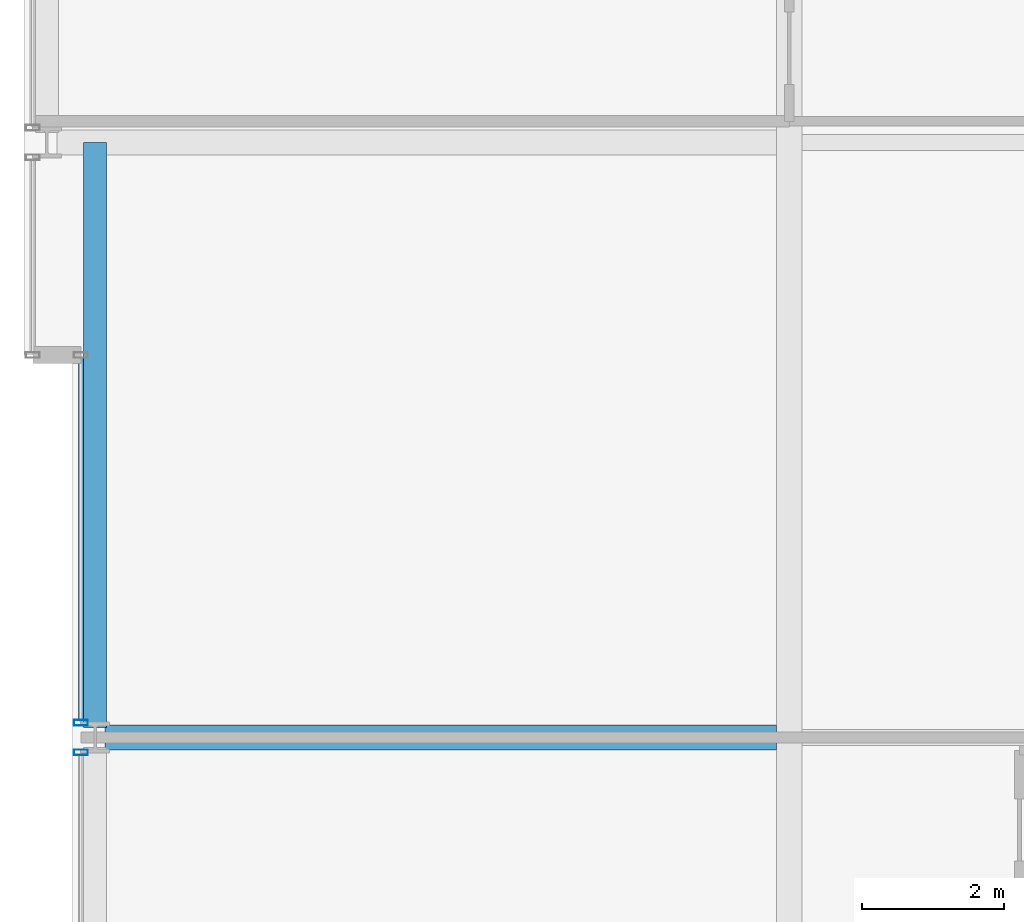
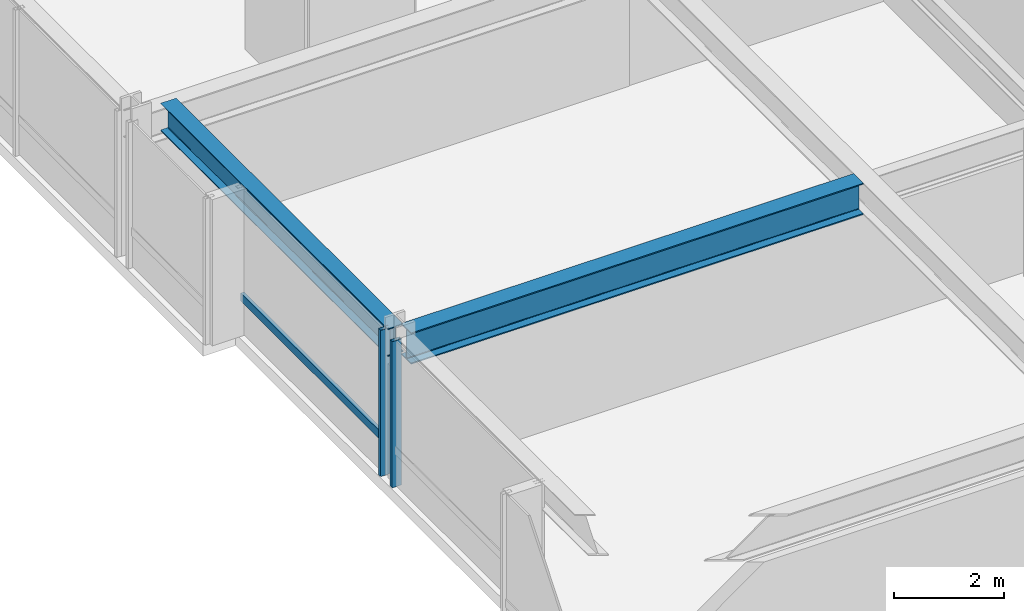
# One storey, part 9 of 34: 3 members, 2 beams, 2 elements without a shape of their own.
"""IFC4 building model written with IfcOpenShell, lengths in metres."""

from ifc_helpers import new_model, si_unit, direction, frame, origin, origin_2d, place, context, subcontext, project, spatial, hollow_rectangle, i_section, extrude, material, layer, layer_set, material_profile, profile_set, type_object, element, aggregate, save


model = new_model("IFC4")

# Units and contexts
model_context = context("Model", 3, precision=1e-05, world=origin(), true_north=direction((0.0, 1.0)))
body_context = subcontext(model_context, "Body", "Model", "MODEL_VIEW")
ifc_project = project(units=[si_unit("LENGTHUNIT", "METRE"), si_unit("AREAUNIT", "SQUARE_METRE"), si_unit("VOLUMEUNIT", "CUBIC_METRE"), si_unit("PLANEANGLEUNIT", "RADIAN"), si_unit("MASSUNIT", "GRAM", prefix="KILO")], contexts=[model_context])

# Site, building, storey
site_placement = place(None, origin())
site = spatial("IfcSite", under=ifc_project, at=site_placement, CompositionType="ELEMENT")
building_placement = place(site_placement, origin())
building = spatial("IfcBuilding", under=site, at=building_placement, Name="Drelvath Grand Hotel", CompositionType="ELEMENT")
storey_placement = place(building_placement, frame((0.0, 0.0, 133.800048828125)))
storey = spatial("IfcBuildingStorey", under=building, at=storey_placement, Name="L34", CompositionType="ELEMENT", Elevation=133.800048828125)

# Curtain wall, member
ifc_material_1 = material(Name="Champagne Bronze Anodised Aluminium Frame", Category="aluminium")
ifc_layer = layer(ifc_material_1, 0.199951171875)
ifc_layer_set = layer_set([ifc_layer], Name="Champagne Bronze Anodised Aluminium Frame")
curtain_wall_type = type_object("IfcCurtainWallType", Name="Stick Curtain Wall CW-03 Champagne Bronze Mid-Rise", PredefinedType="NOTDEFINED", material=ifc_layer_set)
curtain_wall_1_placement = place(storey_placement, origin())
curtain_wall_1 = element("IfcCurtainWall", 1, at=curtain_wall_1_placement, inside=storey, type_object=curtain_wall_type, Name="L34 CW-03 Curtain Wall CW03-L34-WM2", PredefinedType="NOTDEFINED")
ifc_material_profile_1 = material_profile(ifc_material_1, hollow_rectangle(XDim=0.074951171875, YDim=0.179931640625, WallThickness=0.0048828125, at=origin_2d()), Name="HSS180X75X5")
ifc_profile_set_1 = profile_set([ifc_material_profile_1], Name="Champagne Bronze Anodised Aluminium Frame")
member_type_1 = type_object("IfcMemberType", Name="Curtain Wall Horizontal Transom CW-03 HSS180X75X5", PredefinedType="USERDEFINED", material=ifc_profile_set_1)
member_1_placement = place(storey_placement, frame((-26.199951171875, 27.24951171875, 0.81005859375), z_axis=(0.0, 1.0, 0.0), x_axis=(-1.0, 0.0, 0.0)))
member_1 = element("IfcMember", 2, at=member_1_placement, type_object=member_type_1, Name="CW03-L34-WM2 Sill Transom", ObjectType="TRANSOM", PredefinedType="USERDEFINED", context=body_context, shape_type="SweptSolid", body=[
    extrude(hollow_rectangle(XDim=0.074951171875, YDim=0.179931640625, WallThickness=0.0048828125, at=origin_2d()), origin(), (0.0, 0.0, 1.0), 5.110595703125),
])

curtain_wall_2_placement = place(storey_placement, origin())
curtain_wall_2 = element("IfcCurtainWall", 3, at=curtain_wall_2_placement, inside=storey, type_object=curtain_wall_type, Name="L34 CW-03 Curtain Wall CW03-L34-WM1", PredefinedType="NOTDEFINED")
ifc_material_profile_2 = material_profile(ifc_material_1, hollow_rectangle(XDim=0.080078125, YDim=0.199951171875, WallThickness=0.0048828125, at=origin_2d()), Name="HSS200X80X5")
ifc_profile_set_2 = profile_set([ifc_material_profile_2], Name="Champagne Bronze Anodised Aluminium Frame")
member_type_2 = type_object("IfcMemberType", Name="Curtain Wall Vertical Mullion CW-03 HSS200X80X5", PredefinedType="MULLION", material=ifc_profile_set_2)
member_2_placement = place(storey_placement, frame((-26.199951171875, 26.79052734375, 0.0), z_axis=(0.0, 0.0, 1.0), x_axis=(0.0, 1.0, 0.0)))
member_2 = element("IfcMember", 4, at=member_2_placement, type_object=member_type_2, Name="CW03-L34-WM1 Mullion 2", PredefinedType="MULLION", context=body_context, shape_type="SweptSolid", body=[
    extrude(hollow_rectangle(XDim=0.080078125, YDim=0.199951171875, WallThickness=0.0048828125, at=origin_2d()), origin(), (0.0, 0.0, 1.0), 3.239990234375),
])
aggregate(curtain_wall_2, [member_2])

# Member
member_3_placement = place(storey_placement, frame((-26.199951171875, 27.20947265625, 0.0), z_axis=(0.0, 0.0, 1.0), x_axis=(0.0, 1.0, 0.0)))
member_3 = element("IfcMember", 5, at=member_3_placement, type_object=member_type_2, Name="CW03-L34-WM2 Mullion 1", PredefinedType="MULLION", context=body_context, shape_type="SweptSolid", body=[
    extrude(hollow_rectangle(XDim=0.080078125, YDim=0.199951171875, WallThickness=0.0048828125, at=origin_2d()), origin(), (0.0, 0.0, 1.0), 3.239990234375),
])

aggregate(curtain_wall_1, [member_3, member_1])

# Beams
ifc_material_2 = material(Name="Steel ASTM A992 Gr 50", Category="steel")
ifc_material_profile_3 = material_profile(ifc_material_2, i_section(OverallWidth=0.323974609375, OverallDepth=0.611083984375, WebThickness=0.0126953125, FlangeThickness=0.01904296875, FilletRadius=0.02197265625, at=origin_2d()), Name="W24X104")
ifc_profile_set_3 = profile_set([ifc_material_profile_3], Name="Steel ASTM A992 Gr 50")
beam_type_1 = type_object("IfcBeamType", Name="Perimeter Spandrel Beam W24X104", PredefinedType="SPANDREL", material=ifc_profile_set_3)
beam_1_placement = place(storey_placement, frame((-26.0, 27.139892578125, 2.934326171875), z_axis=(0.0, 1.0, 0.0), x_axis=(-1.0, 0.0, 0.0)))
element("IfcBeam", 6, at=beam_1_placement, inside=storey, type_object=beam_type_1, Name="L34 Spandrel West Mid N", PredefinedType="SPANDREL", context=body_context, shape_type="SweptSolid", body=[
    extrude(i_section(OverallWidth=0.323974609375, OverallDepth=0.611083984375, WebThickness=0.0126953125, FlangeThickness=0.01904296875, FilletRadius=0.02197265625, at=origin_2d()), origin(), (0.0, 0.0, 1.0), 8.260009765625),
])
ifc_material_profile_4 = material_profile(ifc_material_2, i_section(OverallWidth=0.354736328125, OverallDepth=0.695556640625, WebThickness=0.015380859375, FlangeThickness=0.025146484375, FilletRadius=0.02392578125, at=origin_2d()), Name="W27X146")
ifc_profile_set_4 = profile_set([ifc_material_profile_4], Name="Steel ASTM A992 Gr 50")
beam_type_2 = type_object("IfcBeamType", Name="Primary Floor Girder W27X146", PredefinedType="BEAM", material=ifc_profile_set_4)
beam_2_placement = place(storey_placement, frame((-25.860107421875, 27.0, 2.892333984375), z_axis=(1.0, 0.0, 0.0), x_axis=(0.0, 1.0, 0.0)))
element("IfcBeam", 7, at=beam_2_placement, inside=storey, type_object=beam_type_2, Name="L34 West Wing Girder E", PredefinedType="BEAM", context=body_context, shape_type="SweptSolid", body=[
    extrude(i_section(OverallWidth=0.354736328125, OverallDepth=0.695556640625, WebThickness=0.015380859375, FlangeThickness=0.025146484375, FilletRadius=0.02392578125, at=origin_2d()), origin(), (0.0, 0.0, 1.0), 9.482666015625),
])

save(model, "model.ifc")
